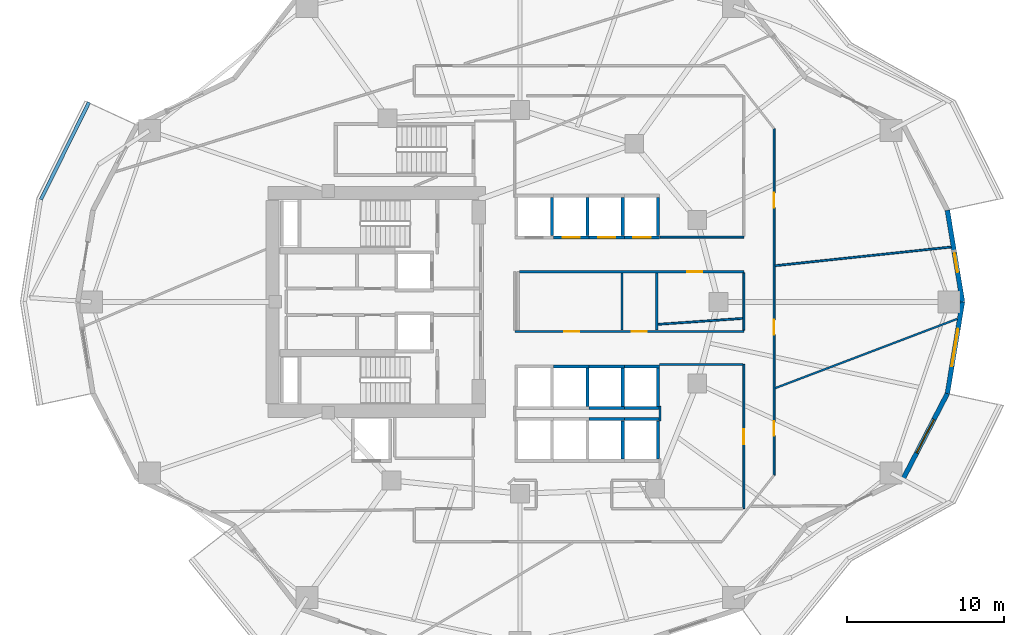
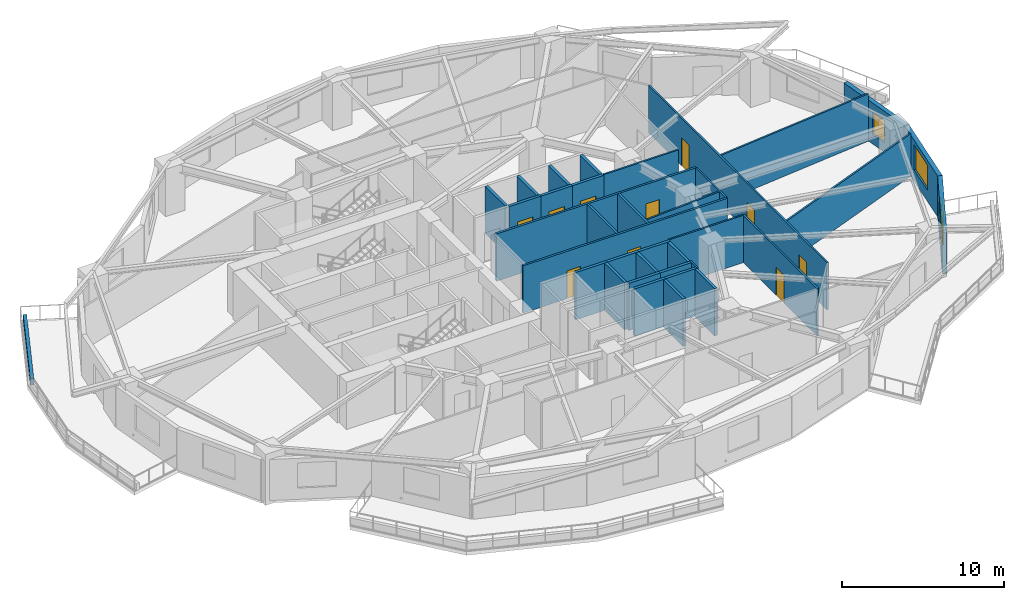
# One storey, part 5 of 14: 36 walls, 10 doors, 3 windows, 13 openings.
"""IFC4 building model written with IfcOpenShell, lengths in metres."""

from ifc_helpers import new_model, si_unit, direction, frame, frame_2d, origin, place, context, subcontext, project, spatial, rectangle, extrude, material, layer, layer_set, type_object, element, fill, save


model = new_model("IFC4")

# Units and contexts
model_context = context("Model", 3, precision=1e-05, world=origin(), true_north=direction((0.0, 1.0)))
body_context = subcontext(model_context, "Body", "Model", "MODEL_VIEW")
ifc_project = project(units=[si_unit("LENGTHUNIT", "METRE"), si_unit("AREAUNIT", "SQUARE_METRE"), si_unit("VOLUMEUNIT", "CUBIC_METRE"), si_unit("PLANEANGLEUNIT", "RADIAN"), si_unit("MASSUNIT", "GRAM", prefix="KILO")], contexts=[model_context])

# Site, building, storey
site_placement = place(None, origin())
site = spatial("IfcSite", under=ifc_project, at=site_placement, CompositionType="ELEMENT")
building_placement = place(site_placement, origin())
building = spatial("IfcBuilding", under=site, at=building_placement, Name="Kolvaren Gate Tower and Convention Centre", CompositionType="ELEMENT")
storey_placement = place(building_placement, frame((0.0, 0.0, 41.89990234375)))
storey = spatial("IfcBuildingStorey", under=building, at=storey_placement, Name="L09", CompositionType="ELEMENT", Elevation=41.89990234375)

# Wall
ifc_material_1 = material(Name="Fire-Rated Acoustic Gypsum Stud Partition", Category="gypsum")
ifc_layer_1 = layer(ifc_material_1, 0.1201171875)
ifc_layer_set_1 = layer_set([ifc_layer_1], Name="Fire-Rated Acoustic Gypsum Stud Partition")
wall_type_1 = type_object("IfcWallType", Name="ARCH-WL-PART-120", PredefinedType="PARTITIONING", material=ifc_layer_set_1)
wall_1_placement = place(storey_placement, frame((39.02001953125, 31.1201171875, 0.0), z_axis=(0.0, 0.0, 1.0), x_axis=(1.0, 0.0, 0.0)))
element("IfcWall", 1, at=wall_1_placement, inside=storey, type_object=wall_type_1, Name="Interior Partition WL-L09-INT-020", PredefinedType="PARTITIONING", context=body_context, shape_type="SweptSolid", body=[
    extrude(rectangle(XDim=5.330078125, YDim=0.1201171875, at=frame_2d((2.6650390625, 0.0))), origin(), (0.0, 0.0, 1.0), 3.570068359375),
])

# Wall, opening, door
wall_2_placement = place(storey_placement, frame((44.35009765625, 13.85009765625, 0.0), z_axis=(0.0, 0.0, 1.0), x_axis=(0.0, 1.0, 0.0)))
wall_2 = element("IfcWall", 2, at=wall_2_placement, inside=storey, type_object=wall_type_1, Name="Interior Partition WL-L09-INT-021", PredefinedType="PARTITIONING", context=body_context, shape_type="SweptSolid", body=[
    extrude(rectangle(XDim=9.169921875, YDim=0.1201171875, at=frame_2d((4.5849609375, 0.0))), origin(), (0.0, 0.0, 1.0), 3.570068359375),
])
opening_1_placement = place(wall_2_placement, frame((4.110107421875, 0.0, 0.0)))
opening_1 = element("IfcOpeningElement", 3, at=opening_1_placement, cuts=wall_2, Name="Opening DR-01", PredefinedType="OPENING", context=body_context, shape_type="SweptSolid", body=[
    extrude(rectangle(XDim=0.949951171875, YDim=2.10009765625, at=frame_2d((0.47509765625, 1.050048828125))), frame((0.0, 0.070068359375, 0.0), z_axis=(0.0, -1.0, 0.0), x_axis=(1.0, 0.0, 0.0)), (0.0, 0.0, 1.0), 0.14013671875),
])
ifc_material_2 = material(Name="Painted Architectural Steelwork ASTM A500 Grade C 345 MPa", Category="steel")
door_type_1 = type_object("IfcDoorType", Name="ARCH-DR-RISER-950", OperationType="SINGLE_SWING_RIGHT", PredefinedType="DOOR", material=ifc_material_2)
door_1_placement = place(opening_1_placement, origin())
door_1 = element("IfcDoor", 4, at=door_1_placement, inside=storey, type_object=door_type_1, Name="Catering Servery Kitchen Door", OperationType="SINGLE_SWING_LEFT", OverallHeight=2.10009765625, OverallWidth=0.949951171875, PredefinedType="DOOR", context=body_context, shape_type="SweptSolid", body=[
    extrude(rectangle(XDim=0.949951171875, YDim=2.10009765625, at=frame_2d((0.47509765625, 1.050048828125))), frame((0.0, 0.02490234375, 0.0), z_axis=(0.0, -1.0, 0.0), x_axis=(1.0, 0.0, 0.0)), (0.0, 0.0, 1.0), 0.050048828125),
])
fill(opening_1, door_1)

# Wall
wall_3_placement = place(storey_placement, frame((44.35009765625, 25.197021484375, 0.0), z_axis=(0.0, 0.0, 1.0), x_axis=(0.0, 1.0, 0.0)))
element("IfcWall", 5, at=wall_3_placement, inside=storey, type_object=wall_type_1, Name="Interior Partition WL-L09-INT-022", PredefinedType="PARTITIONING", context=body_context, shape_type="SweptSolid", body=[
    extrude(rectangle(XDim=3.64599609375, YDim=0.1201171875, at=frame_2d((1.822998046875, 0.0))), origin(), (0.0, 0.0, 1.0), 3.570068359375),
])

# Wall, openings, doors
wall_4_placement = place(storey_placement, frame((46.27001953125, 15.98193359375, 0.0), z_axis=(0.0, 0.0, 1.0), x_axis=(0.0, 1.0, 0.0)))
wall_4 = element("IfcWall", 6, at=wall_4_placement, inside=storey, type_object=wall_type_1, Name="Interior Partition WL-L09-INT-030", PredefinedType="PARTITIONING", context=body_context, shape_type="SweptSolid", body=[
    extrude(rectangle(XDim=22.0361328125, YDim=0.1201171875, at=frame_2d((11.01806640625, 0.0))), origin(), (0.0, 0.0, 1.0), 3.570068359375),
])
opening_2_placement = place(wall_4_placement, frame((2.490966796875, 0.0, 0.0)))
opening_2 = element("IfcOpeningElement", 7, at=opening_2_placement, cuts=wall_4, Name="Opening DR-01", PredefinedType="OPENING", context=body_context, shape_type="SweptSolid", body=[
    extrude(rectangle(XDim=0.949951171875, YDim=2.10009765625, at=frame_2d((0.47509765625, 1.050048828125))), frame((0.0, 0.070068359375, 0.0), z_axis=(0.0, -1.0, 0.0), x_axis=(1.0, 0.0, 0.0)), (0.0, 0.0, 1.0), 0.14013671875),
])
opening_3_placement = place(wall_4_placement, frame((8.92529296875, 0.0, 0.0)))
opening_3 = element("IfcOpeningElement", 8, at=opening_3_placement, cuts=wall_4, Name="Opening DR-01", PredefinedType="OPENING", context=body_context, shape_type="SweptSolid", body=[
    extrude(rectangle(XDim=0.949951171875, YDim=2.10009765625, at=frame_2d((0.47509765625, 1.050048828125))), frame((0.0, 0.070068359375, 0.0), z_axis=(0.0, -1.0, 0.0), x_axis=(1.0, 0.0, 0.0)), (0.0, 0.0, 1.0), 0.14013671875),
])
opening_4_placement = place(wall_4_placement, frame((16.992919921875, 0.0, 0.0)))
opening_4 = element("IfcOpeningElement", 9, at=opening_4_placement, cuts=wall_4, Name="Opening DR-01", PredefinedType="OPENING", context=body_context, shape_type="SweptSolid", body=[
    extrude(rectangle(XDim=0.949951171875, YDim=2.10009765625, at=frame_2d((0.47509765625, 1.050048828125))), frame((0.0, 0.070068359375, 0.0), z_axis=(0.0, -1.0, 0.0), x_axis=(1.0, 0.0, 0.0)), (0.0, 0.0, 1.0), 0.14013671875),
])
door_2_placement = place(opening_2_placement, origin())
door_2 = element("IfcDoor", 10, at=door_2_placement, inside=storey, type_object=door_type_1, Name="Executive Seminar Conference Room Door", OperationType="SINGLE_SWING_RIGHT", OverallHeight=2.10009765625, OverallWidth=0.949951171875, PredefinedType="DOOR", context=body_context, shape_type="SweptSolid", body=[
    extrude(rectangle(XDim=0.949951171875, YDim=2.10009765625, at=frame_2d((0.47509765625, 1.050048828125))), frame((0.0, 0.02490234375, 0.0), z_axis=(0.0, -1.0, 0.0), x_axis=(1.0, 0.0, 0.0)), (0.0, 0.0, 1.0), 0.050048828125),
])
fill(opening_2, door_2)
door_3_placement = place(opening_3_placement, origin())
door_3 = element("IfcDoor", 11, at=door_3_placement, inside=storey, type_object=door_type_1, Name="Strategy Huddle Meeting Room Door", OperationType="SINGLE_SWING_LEFT", OverallHeight=2.10009765625, OverallWidth=0.949951171875, PredefinedType="DOOR", context=body_context, shape_type="SweptSolid", body=[
    extrude(rectangle(XDim=0.949951171875, YDim=2.10009765625, at=frame_2d((0.47509765625, 1.050048828125))), frame((0.0, 0.02490234375, 0.0), z_axis=(0.0, -1.0, 0.0), x_axis=(1.0, 0.0, 0.0)), (0.0, 0.0, 1.0), 0.050048828125),
])
fill(opening_3, door_3)
door_4_placement = place(opening_4_placement, origin())
door_4 = element("IfcDoor", 12, at=door_4_placement, inside=storey, type_object=door_type_1, Name="Conference and Training Seminar Room Door", OperationType="SINGLE_SWING_LEFT", OverallHeight=2.10009765625, OverallWidth=0.949951171875, PredefinedType="DOOR", context=body_context, shape_type="SweptSolid", body=[
    extrude(rectangle(XDim=0.949951171875, YDim=2.10009765625, at=frame_2d((0.47509765625, 1.050048828125))), frame((0.0, 0.02490234375, 0.0), z_axis=(0.0, -1.0, 0.0), x_axis=(1.0, 0.0, 0.0)), (0.0, 0.0, 1.0), 0.050048828125),
])
fill(opening_4, door_4)

# Walls
wall_5_placement = place(storey_placement, frame((39.0, 23.02001953125, 0.0), z_axis=(0.0, 0.0, 1.0), x_axis=(1.0, 0.0, 0.0)))
element("IfcWall", 13, at=wall_5_placement, inside=storey, type_object=wall_type_1, Name="Interior Partition WL-L09-INT-041", PredefinedType="PARTITIONING", context=body_context, shape_type="SweptSolid", body=[
    extrude(rectangle(XDim=5.2880859375, YDim=0.1201171875, at=frame_2d((2.64404296875, 0.0))), origin(), (0.0, 0.0, 1.0), 3.570068359375),
])
wall_6_placement = place(storey_placement, frame((39.02001953125, 19.43994140625, 0.0), z_axis=(0.0, 0.0, 1.0), x_axis=(0.0, 1.0, 0.0)))
element("IfcWall", 14, at=wall_6_placement, inside=storey, type_object=wall_type_1, Name="Interior Partition WL-L09-INT-042 (2)", PredefinedType="PARTITIONING", context=body_context, shape_type="SweptSolid", body=[
    extrude(rectangle(XDim=0.920166015625, YDim=0.1201171875, at=frame_2d((0.4599609375, 0.0))), origin(), (0.0, 0.0, 1.0), 3.570068359375),
])
wall_7_placement = place(storey_placement, frame((46.33203125, 21.510498046875, 0.0), z_axis=(0.0, 0.0, 1.0), x_axis=(0.934671698943, 0.355512046484, 0.0)))
element("IfcWall", 15, at=wall_7_placement, inside=storey, type_object=wall_type_1, Name="Interior Partition WL-L09-INT-053", PredefinedType="PARTITIONING", context=body_context, shape_type="SweptSolid", body=[
    extrude(rectangle(XDim=12.3955078125, YDim=0.1201171875, at=frame_2d((6.19775390625, 0.0))), origin(), (0.0, 0.0, 1.0), 3.205078125),
])
wall_8_placement = place(storey_placement, frame((46.33203125, 29.299560546875, 0.0), z_axis=(0.0, 0.0, 1.0), x_axis=(0.994414134786, 0.105548702209, 0.0)))
element("IfcWall", 16, at=wall_8_placement, inside=storey, type_object=wall_type_1, Name="Interior Partition WL-L09-INT-054", PredefinedType="PARTITIONING", context=body_context, shape_type="SweptSolid", body=[
    extrude(rectangle(XDim=11.2529296875, YDim=0.1201171875, at=frame_2d((5.62646484375, 0.0))), origin(), (0.0, 0.0, 1.0), 3.570068359375),
])
wall_9_placement = place(storey_placement, frame((38.876953125, 25.5703125, 0.0), z_axis=(0.0, 0.0, 1.0), x_axis=(0.997563605061, 0.069762840094, 0.0)))
element("IfcWall", 17, at=wall_9_placement, inside=storey, type_object=wall_type_1, Name="Interior Partition WL-L09-INT-055", PredefinedType="PARTITIONING", context=body_context, shape_type="SweptSolid", body=[
    extrude(rectangle(XDim=5.42431640625, YDim=0.1201171875, at=frame_2d((2.712158203125, 0.0))), origin(), (0.0, 0.0, 1.0), 3.570068359375),
])
ifc_material_3 = material(Name="Piedmont Cream Honed Limestone Cladding", Category="masonry")
ifc_layer_2 = layer(ifc_material_3, 0.219970703125)
ifc_layer_set_2 = layer_set([ifc_layer_2], Name="Piedmont Cream Honed Limestone Cladding")
wall_type_2 = type_object("IfcWallType", Name="ARCH-WL-PLANTER-220", PredefinedType="PARAPET", material=ifc_layer_set_2)
wall_10_placement = place(storey_placement, frame((-0.3544921875, 33.50244140625, 0.0), z_axis=(0.0, 0.0, 1.0), x_axis=(0.443578479433, 0.8962355341, 0.0)))
element("IfcWall", 18, at=wall_10_placement, inside=storey, type_object=wall_type_2, Name="Vertical-Forest Balcony Stone Planter Kerb PK-L09-2.1", PredefinedType="PARAPET", context=body_context, shape_type="SweptSolid", body=[
    extrude(rectangle(XDim=6.9111328125, YDim=0.219970703125, at=frame_2d((3.45556640625, 0.0))), origin(), (0.0, 0.0, 1.0), 0.52001953125),
])
ifc_material_4 = material(Name="Autoclaved Aerated Masonry Blockwork Class 4 (4.0 MPa)", Category="masonry")
ifc_layer_3 = layer(ifc_material_4, 0.199951171875)
ifc_layer_set_3 = layer_set([ifc_layer_3], Name="Autoclaved Aerated Masonry Blockwork Class 4 (4.0 MPa)")
wall_type_3 = type_object("IfcWallType", Name="ARCH-WL-SHAFT-200", PredefinedType="SOLIDWALL", material=ifc_layer_set_3)
wall_11_placement = place(storey_placement, frame((32.14990234375, 31.2099609375, 0.0), z_axis=(0.0, 0.0, 1.0), x_axis=(0.0, 1.0, 0.0)))
element("IfcWall", 19, at=wall_11_placement, inside=storey, type_object=wall_type_3, Name="Elevator PL-01 L09 Fire Shaft Wall E", PredefinedType="SOLIDWALL", context=body_context, shape_type="SweptSolid", body=[
    extrude(rectangle(XDim=2.429931640625, YDim=0.199951171875, at=frame_2d((1.21484375, 0.0))), origin(), (0.0, 0.0, 1.0), 3.570068359375),
])

# Wall, opening, door
wall_12_placement = place(storey_placement, frame((32.25, 31.10009765625, 0.0), z_axis=(0.0, 0.0, 1.0), x_axis=(1.0, 0.0, 0.0)))
wall_12 = element("IfcWall", 20, at=wall_12_placement, inside=storey, type_object=wall_type_3, Name="Elevator PL-02 L09 Fire Shaft Wall S", PredefinedType="SOLIDWALL", context=body_context, shape_type="SweptSolid", body=[
    extrude(rectangle(XDim=2.25, YDim=0.199951171875, at=frame_2d((1.125, 0.0))), origin(), (0.0, 0.0, 1.0), 3.570068359375),
])
opening_5_placement = place(wall_12_placement, frame((0.574951171875, 0.0, 0.0)))
opening_5 = element("IfcOpeningElement", 21, at=opening_5_placement, cuts=wall_12, Name="Opening LD", PredefinedType="OPENING", context=body_context, shape_type="SweptSolid", body=[
    extrude(rectangle(XDim=1.10009765625, YDim=2.199951171875, at=frame_2d((0.550048828125, 1.10009765625))), frame((0.0, 0.10986328125, 0.0), z_axis=(0.0, -1.0, 0.0), x_axis=(1.0, 0.0, 0.0)), (0.0, 0.0, 1.0), 0.219970703125),
])
ifc_material_5 = material(Name="Brushed Stainless Steel Grade 316L", Category="steel")
door_type_2 = type_object("IfcDoorType", Name="ARCH-DR-LIFT-1100", OperationType="SLIDING_TO_LEFT", PredefinedType="DOOR", material=ifc_material_5)
door_5_placement = place(opening_5_placement, origin())
door_5 = element("IfcDoor", 22, at=door_5_placement, inside=storey, type_object=door_type_2, Name="Elevator PL-02 L09 Sliding Landing Door", OperationType="SLIDING_TO_LEFT", OverallHeight=2.199951171875, OverallWidth=1.10009765625, PredefinedType="DOOR", context=body_context, shape_type="SweptSolid", body=[
    extrude(rectangle(XDim=1.10009765625, YDim=2.199951171875, at=frame_2d((0.550048828125, 1.10009765625))), frame((0.0, 0.02490234375, 0.0), z_axis=(0.0, -1.0, 0.0), x_axis=(1.0, 0.0, 0.0)), (0.0, 0.0, 1.0), 0.050048828125),
])
fill(opening_5, door_5)

# Wall
wall_13_placement = place(storey_placement, frame((34.39990234375, 31.2099609375, 0.0), z_axis=(0.0, 0.0, 1.0), x_axis=(0.0, 1.0, 0.0)))
element("IfcWall", 23, at=wall_13_placement, inside=storey, type_object=wall_type_3, Name="Elevator PL-02 L09 Fire Shaft Wall E", PredefinedType="SOLIDWALL", context=body_context, shape_type="SweptSolid", body=[
    extrude(rectangle(XDim=2.429931640625, YDim=0.199951171875, at=frame_2d((1.21484375, 0.0))), origin(), (0.0, 0.0, 1.0), 3.570068359375),
])

# Wall, opening, door
wall_14_placement = place(storey_placement, frame((34.5, 31.10009765625, 0.0), z_axis=(0.0, 0.0, 1.0), x_axis=(1.0, 0.0, 0.0)))
wall_14 = element("IfcWall", 24, at=wall_14_placement, inside=storey, type_object=wall_type_3, Name="Elevator PL-03 L09 Fire Shaft Wall S", PredefinedType="SOLIDWALL", context=body_context, shape_type="SweptSolid", body=[
    extrude(rectangle(XDim=2.25, YDim=0.199951171875, at=frame_2d((1.125, 0.0))), origin(), (0.0, 0.0, 1.0), 3.570068359375),
])
opening_6_placement = place(wall_14_placement, frame((0.574951171875, 0.0, 0.0)))
opening_6 = element("IfcOpeningElement", 25, at=opening_6_placement, cuts=wall_14, Name="Opening LD", PredefinedType="OPENING", context=body_context, shape_type="SweptSolid", body=[
    extrude(rectangle(XDim=1.10009765625, YDim=2.199951171875, at=frame_2d((0.550048828125, 1.10009765625))), frame((0.0, 0.10986328125, 0.0), z_axis=(0.0, -1.0, 0.0), x_axis=(1.0, 0.0, 0.0)), (0.0, 0.0, 1.0), 0.219970703125),
])
door_6_placement = place(opening_6_placement, origin())
door_6 = element("IfcDoor", 26, at=door_6_placement, inside=storey, type_object=door_type_2, Name="Elevator PL-03 L09 Sliding Landing Door", OperationType="SLIDING_TO_LEFT", OverallHeight=2.199951171875, OverallWidth=1.10009765625, PredefinedType="DOOR", context=body_context, shape_type="SweptSolid", body=[
    extrude(rectangle(XDim=1.10009765625, YDim=2.199951171875, at=frame_2d((0.550048828125, 1.10009765625))), frame((0.0, 0.02490234375, 0.0), z_axis=(0.0, -1.0, 0.0), x_axis=(1.0, 0.0, 0.0)), (0.0, 0.0, 1.0), 0.050048828125),
])
fill(opening_6, door_6)

# Wall
wall_15_placement = place(storey_placement, frame((36.64990234375, 31.2099609375, 0.0), z_axis=(0.0, 0.0, 1.0), x_axis=(0.0, 1.0, 0.0)))
element("IfcWall", 27, at=wall_15_placement, inside=storey, type_object=wall_type_3, Name="Elevator PL-03 L09 Fire Shaft Wall E", PredefinedType="SOLIDWALL", context=body_context, shape_type="SweptSolid", body=[
    extrude(rectangle(XDim=2.429931640625, YDim=0.199951171875, at=frame_2d((1.21484375, 0.0))), origin(), (0.0, 0.0, 1.0), 3.570068359375),
])

# Wall, opening, door
wall_16_placement = place(storey_placement, frame((36.75, 31.10009765625, 0.0), z_axis=(0.0, 0.0, 1.0), x_axis=(1.0, 0.0, 0.0)))
wall_16 = element("IfcWall", 28, at=wall_16_placement, inside=storey, type_object=wall_type_3, Name="Elevator PL-04 L09 Fire Shaft Wall S", PredefinedType="SOLIDWALL", context=body_context, shape_type="SweptSolid", body=[
    extrude(rectangle(XDim=2.25, YDim=0.199951171875, at=frame_2d((1.125, 0.0))), origin(), (0.0, 0.0, 1.0), 3.570068359375),
])
opening_7_placement = place(wall_16_placement, frame((0.574951171875, 0.0, 0.0)))
opening_7 = element("IfcOpeningElement", 29, at=opening_7_placement, cuts=wall_16, Name="Opening LD", PredefinedType="OPENING", context=body_context, shape_type="SweptSolid", body=[
    extrude(rectangle(XDim=1.10009765625, YDim=2.199951171875, at=frame_2d((0.550048828125, 1.10009765625))), frame((0.0, 0.10986328125, 0.0), z_axis=(0.0, -1.0, 0.0), x_axis=(1.0, 0.0, 0.0)), (0.0, 0.0, 1.0), 0.219970703125),
])
door_7_placement = place(opening_7_placement, origin())
door_7 = element("IfcDoor", 30, at=door_7_placement, inside=storey, type_object=door_type_2, Name="Elevator PL-04 L09 Sliding Landing Door", OperationType="SLIDING_TO_LEFT", OverallHeight=2.199951171875, OverallWidth=1.10009765625, PredefinedType="DOOR", context=body_context, shape_type="SweptSolid", body=[
    extrude(rectangle(XDim=1.10009765625, YDim=2.199951171875, at=frame_2d((0.550048828125, 1.10009765625))), frame((0.0, 0.02490234375, 0.0), z_axis=(0.0, -1.0, 0.0), x_axis=(1.0, 0.0, 0.0)), (0.0, 0.0, 1.0), 0.050048828125),
])
fill(opening_7, door_7)

# Walls
wall_17_placement = place(storey_placement, frame((38.89990234375, 31.2099609375, 0.0), z_axis=(0.0, 0.0, 1.0), x_axis=(0.0, 1.0, 0.0)))
element("IfcWall", 31, at=wall_17_placement, inside=storey, type_object=wall_type_3, Name="Elevator PL-04 L09 Fire Shaft Wall E", PredefinedType="SOLIDWALL", context=body_context, shape_type="SweptSolid", body=[
    extrude(rectangle(XDim=2.429931640625, YDim=0.199951171875, at=frame_2d((1.21484375, 0.0))), origin(), (0.0, 0.0, 1.0), 3.570068359375),
])
wall_18_placement = place(storey_placement, frame((34.5, 19.550048828125, 0.0), z_axis=(0.0, 0.0, 1.0), x_axis=(1.0, 0.0, 0.0)))
element("IfcWall", 32, at=wall_18_placement, inside=storey, type_object=wall_type_3, Name="Elevator PL-07 L09 Fire Shaft Wall N", PredefinedType="SOLIDWALL", context=body_context, shape_type="SweptSolid", body=[
    extrude(rectangle(XDim=2.25, YDim=0.199951171875, at=frame_2d((1.125, 0.0))), origin(), (0.0, 0.0, 1.0), 3.570068359375),
])
wall_19_placement = place(storey_placement, frame((36.64990234375, 17.010009765625, 0.0), z_axis=(0.0, 0.0, 1.0), x_axis=(0.0, 1.0, 0.0)))
element("IfcWall", 33, at=wall_19_placement, inside=storey, type_object=wall_type_3, Name="Elevator PL-07 L09 Fire Shaft Wall E", PredefinedType="SOLIDWALL", context=body_context, shape_type="SweptSolid", body=[
    extrude(rectangle(XDim=2.429931640625, YDim=0.199951171875, at=frame_2d((1.21484375, 0.0))), origin(), (0.0, 0.0, 1.0), 3.570068359375),
])
wall_20_placement = place(storey_placement, frame((36.75, 19.550048828125, 0.0), z_axis=(0.0, 0.0, 1.0), x_axis=(1.0, 0.0, 0.0)))
element("IfcWall", 34, at=wall_20_placement, inside=storey, type_object=wall_type_3, Name="Elevator PL-08 L09 Fire Shaft Wall N", PredefinedType="SOLIDWALL", context=body_context, shape_type="SweptSolid", body=[
    extrude(rectangle(XDim=2.25, YDim=0.199951171875, at=frame_2d((1.125, 0.0))), origin(), (0.0, 0.0, 1.0), 3.570068359375),
])
wall_21_placement = place(storey_placement, frame((38.89990234375, 17.010009765625, 0.0), z_axis=(0.0, 0.0, 1.0), x_axis=(0.0, 1.0, 0.0)))
element("IfcWall", 35, at=wall_21_placement, inside=storey, type_object=wall_type_3, Name="Elevator PL-08 L09 Fire Shaft Wall E", PredefinedType="SOLIDWALL", context=body_context, shape_type="SweptSolid", body=[
    extrude(rectangle(XDim=2.429931640625, YDim=0.199951171875, at=frame_2d((1.21484375, 0.0))), origin(), (0.0, 0.0, 1.0), 3.570068359375),
])
wall_22_placement = place(storey_placement, frame((32.25, 22.89990234375, 0.0), z_axis=(0.0, 0.0, 1.0), x_axis=(1.0, 0.0, 0.0)))
element("IfcWall", 36, at=wall_22_placement, inside=storey, type_object=wall_type_3, Name="Elevator PL-10 L09 Fire Shaft Wall N", PredefinedType="SOLIDWALL", context=body_context, shape_type="SweptSolid", body=[
    extrude(rectangle(XDim=2.25, YDim=0.199951171875, at=frame_2d((1.125, 0.0))), origin(), (0.0, 0.0, 1.0), 3.570068359375),
])
wall_23_placement = place(storey_placement, frame((34.39990234375, 20.360107421875, 0.0), z_axis=(0.0, 0.0, 1.0), x_axis=(0.0, 1.0, 0.0)))
element("IfcWall", 37, at=wall_23_placement, inside=storey, type_object=wall_type_3, Name="Elevator PL-10 L09 Fire Shaft Wall E", PredefinedType="SOLIDWALL", context=body_context, shape_type="SweptSolid", body=[
    extrude(rectangle(XDim=2.429931640625, YDim=0.199951171875, at=frame_2d((1.21484375, 0.0))), origin(), (0.0, 0.0, 1.0), 3.570068359375),
])
for number, where, z_axis, x_axis, name in (
    (38, (34.5, 22.89990234375, 0.0), (0.0, 0.0, 1.0), (1.0, 0.0, 0.0), "Elevator PL-11 L09 Fire Shaft Wall N"),
    (39, (34.5, 20.25, 0.0), (0.0, 0.0, 1.0), (1.0, 0.0, 0.0), "Elevator PL-11 L09 Fire Shaft Wall S"),
):
    element("IfcWall", number, at=place(storey_placement, frame(where, z_axis=z_axis, x_axis=x_axis)), inside=storey, type_object=wall_type_3, Name=name, PredefinedType="SOLIDWALL", context=body_context, shape_type="SweptSolid", body=[
        extrude(rectangle(XDim=2.25, YDim=0.199951171875, at=frame_2d((1.125, 0.0))), origin(), (0.0, 0.0, 1.0), 3.570068359375),
    ])
wall_24_placement = place(storey_placement, frame((36.64990234375, 20.360107421875, 0.0), z_axis=(0.0, 0.0, 1.0), x_axis=(0.0, 1.0, 0.0)))
element("IfcWall", 40, at=wall_24_placement, inside=storey, type_object=wall_type_3, Name="Elevator PL-11 L09 Fire Shaft Wall E", PredefinedType="SOLIDWALL", context=body_context, shape_type="SweptSolid", body=[
    extrude(rectangle(XDim=2.429931640625, YDim=0.199951171875, at=frame_2d((1.21484375, 0.0))), origin(), (0.0, 0.0, 1.0), 3.570068359375),
])
for number, where, z_axis, x_axis, name in (
    (41, (36.75, 22.89990234375, 0.0), (0.0, 0.0, 1.0), (1.0, 0.0, 0.0), "Elevator PL-12 L09 Fire Shaft Wall N"),
    (42, (36.75, 20.25, 0.0), (0.0, 0.0, 1.0), (1.0, 0.0, 0.0), "Elevator PL-12 L09 Fire Shaft Wall S"),
):
    element("IfcWall", number, at=place(storey_placement, frame(where, z_axis=z_axis, x_axis=x_axis)), inside=storey, type_object=wall_type_3, Name=name, PredefinedType="SOLIDWALL", context=body_context, shape_type="SweptSolid", body=[
        extrude(rectangle(XDim=2.25, YDim=0.199951171875, at=frame_2d((1.125, 0.0))), origin(), (0.0, 0.0, 1.0), 3.570068359375),
    ])
wall_25_placement = place(storey_placement, frame((38.89990234375, 20.360107421875, 0.0), z_axis=(0.0, 0.0, 1.0), x_axis=(0.0, 1.0, 0.0)))
element("IfcWall", 43, at=wall_25_placement, inside=storey, type_object=wall_type_3, Name="Elevator PL-12 L09 Fire Shaft Wall E", PredefinedType="SOLIDWALL", context=body_context, shape_type="SweptSolid", body=[
    extrude(rectangle(XDim=2.429931640625, YDim=0.199951171875, at=frame_2d((1.21484375, 0.0))), origin(), (0.0, 0.0, 1.0), 3.570068359375),
])

# Wall, opening, window
ifc_layer_4 = layer(ifc_material_3, 0.300048828125)
ifc_layer_set_4 = layer_set([ifc_layer_4], Name="Piedmont Cream Honed Limestone Cladding")
wall_type_4 = type_object("IfcWallType", Name="ARCH-WL-STONE-300", PredefinedType="SOLIDWALL", material=ifc_layer_set_4)
wall_26_placement = place(storey_placement, frame((57.291748046875, 32.823486328125, 0.0), z_axis=(0.0, 0.0, 1.0), x_axis=(0.162366057843, -0.98673059305, 0.0)))
wall_26 = element("IfcWall", 44, at=wall_26_placement, inside=storey, type_object=wall_type_4, Name="Tower L09 Honed Stone Spandrel Wall EW-00", PredefinedType="SOLIDWALL", context=body_context, shape_type="SweptSolid", body=[
    extrude(rectangle(XDim=5.90185546875, YDim=0.300048828125, at=frame_2d((2.950927734375, 0.0))), origin(), (0.0, 0.0, 1.0), 3.093017578125),
])
opening_8_placement = place(wall_26_placement, frame((2.780029296875, 0.0, 0.719970703125)))
opening_8 = element("IfcOpeningElement", 45, at=opening_8_placement, cuts=wall_26, Name="Opening W-04", PredefinedType="OPENING", context=body_context, shape_type="SweptSolid", body=[
    extrude(rectangle(XDim=1.199951171875, YDim=1.64990234375, at=frame_2d((0.60009765625, 0.824951171875))), frame((0.0, 0.159912109375, 0.0), z_axis=(0.0, -1.0, 0.0), x_axis=(1.0, 0.0, 0.0)), (0.0, 0.0, 1.0), 0.320068359375),
])
ifc_material_6 = material(Name="Low-E Triple Insulated Glazing Unit 44 mm", Category="glass")
window_type_1 = type_object("IfcWindowType", Name="ARCH-WN-NARROW-1200", PartitioningType="SINGLE_PANEL", PredefinedType="WINDOW", material=ifc_material_6)
window_1_placement = place(opening_8_placement, origin())
window_1 = element("IfcWindow", 46, at=window_1_placement, inside=storey, type_object=window_type_1, Name="Tower L09 Punched Stone Facade Window W-00", OverallHeight=1.64990234375, OverallWidth=1.199951171875, PartitioningType="SINGLE_PANEL", PredefinedType="WINDOW", context=body_context, shape_type="SweptSolid", body=[
    extrude(rectangle(XDim=1.199951171875, YDim=1.64990234375, at=frame_2d((0.60009765625, 0.824951171875))), frame((0.0, 0.030029296875, 0.0), z_axis=(0.0, -1.0, 0.0), x_axis=(1.0, 0.0, 0.0)), (0.0, 0.0, 1.0), 0.06005859375),
])
fill(opening_8, window_1)

wall_27_placement = place(storey_placement, frame((54.48193359375, 15.75, 0.0), z_axis=(0.0, 0.0, 1.0), x_axis=(0.459809804413, 0.88801742312, 0.0)))
wall_27 = element("IfcWall", 47, at=wall_27_placement, inside=storey, type_object=wall_type_4, Name="Tower L09 Honed Stone Spandrel Wall EW-22", PredefinedType="SOLIDWALL", context=body_context, shape_type="SweptSolid", body=[
    extrude(rectangle(XDim=6.11083984375, YDim=0.300048828125, at=frame_2d((3.055419921875, 0.0))), origin(), (0.0, 0.0, 1.0), 3.093017578125),
])
opening_9_placement = place(wall_27_placement, frame((1.85498046875, 0.0, 0.85009765625)))
opening_9 = element("IfcOpeningElement", 48, at=opening_9_placement, cuts=wall_27, Name="Opening W-01", PredefinedType="OPENING", context=body_context, shape_type="SweptSolid", body=[
    extrude(rectangle(XDim=2.39990234375, YDim=1.89990234375, at=frame_2d((1.199951171875, 0.949951171875))), frame((0.0, 0.159912109375, 0.0), z_axis=(0.0, -1.0, 0.0), x_axis=(1.0, 0.0, 0.0)), (0.0, 0.0, 1.0), 0.320068359375),
])
window_type_2 = type_object("IfcWindowType", Name="ARCH-WN-OFF-2400", PartitioningType="SINGLE_PANEL", PredefinedType="WINDOW", material=ifc_material_6)
window_2_placement = place(opening_9_placement, origin())
window_2 = element("IfcWindow", 49, at=window_2_placement, inside=storey, type_object=window_type_2, Name="Tower L09 Punched Stone Facade Window W-22", OverallHeight=1.89990234375, OverallWidth=2.39990234375, PartitioningType="SINGLE_PANEL", PredefinedType="WINDOW", context=body_context, shape_type="SweptSolid", body=[
    extrude(rectangle(XDim=2.39990234375, YDim=1.89990234375, at=frame_2d((1.199951171875, 0.949951171875))), frame((0.0, 0.030029296875, 0.0), z_axis=(0.0, -1.0, 0.0), x_axis=(1.0, 0.0, 0.0)), (0.0, 0.0, 1.0), 0.06005859375),
])
fill(opening_9, window_2)

wall_28_placement = place(storey_placement, frame((57.291748046875, 21.176513671875, 0.0), z_axis=(0.0, 0.0, 1.0), x_axis=(0.162366057843, 0.98673059305, 0.0)))
wall_28 = element("IfcWall", 50, at=wall_28_placement, inside=storey, type_object=wall_type_4, Name="Tower L09 Honed Stone Spandrel Wall EW-23", PredefinedType="SOLIDWALL", context=body_context, shape_type="SweptSolid", body=[
    extrude(rectangle(XDim=5.90185546875, YDim=0.300048828125, at=frame_2d((2.950927734375, 0.0))), origin(), (0.0, 0.0, 1.0), 3.093017578125),
])
opening_10_placement = place(wall_28_placement, frame((1.7509765625, 0.0, 0.85009765625)))
opening_10 = element("IfcOpeningElement", 51, at=opening_10_placement, cuts=wall_28, Name="Opening W-01", PredefinedType="OPENING", context=body_context, shape_type="SweptSolid", body=[
    extrude(rectangle(XDim=2.39990234375, YDim=1.89990234375, at=frame_2d((1.199951171875, 0.949951171875))), frame((0.0, 0.159912109375, 0.0), z_axis=(0.0, -1.0, 0.0), x_axis=(1.0, 0.0, 0.0)), (0.0, 0.0, 1.0), 0.320068359375),
])
window_3_placement = place(opening_10_placement, origin())
window_3 = element("IfcWindow", 52, at=window_3_placement, inside=storey, type_object=window_type_2, Name="Tower L09 Punched Stone Facade Window W-23", OverallHeight=1.89990234375, OverallWidth=2.39990234375, PartitioningType="SINGLE_PANEL", PredefinedType="WINDOW", context=body_context, shape_type="SweptSolid", body=[
    extrude(rectangle(XDim=2.39990234375, YDim=1.89990234375, at=frame_2d((1.199951171875, 0.949951171875))), frame((0.0, 0.030029296875, 0.0), z_axis=(0.0, -1.0, 0.0), x_axis=(1.0, 0.0, 0.0)), (0.0, 0.0, 1.0), 0.06005859375),
])
fill(opening_10, window_3)

# Wall, openings, doors
ifc_material_7 = material(Name="Moisture-Resistant Cement-Board Acoustic Partition", Category="gypsum")
ifc_layer_5 = layer(ifc_material_7, 0.14990234375)
ifc_layer_set_5 = layer_set([ifc_layer_5], Name="Moisture-Resistant Cement-Board Acoustic Partition")
wall_type_5 = type_object("IfcWallType", Name="ARCH-WL-WET-150", PredefinedType="PARTITIONING", material=ifc_layer_set_5)
wall_29_placement = place(storey_placement, frame((29.780029296875, 25.1201171875, 0.0), z_axis=(0.0, 0.0, 1.0), x_axis=(1.0, 0.0, 0.0)))
wall_29 = element("IfcWall", 53, at=wall_29_placement, inside=storey, type_object=wall_type_5, Name="Interior Partition WL-L09-INT-012", PredefinedType="PARTITIONING", context=body_context, shape_type="SweptSolid", body=[
    extrude(rectangle(XDim=14.570068359375, YDim=0.14990234375, at=frame_2d((7.28515625, 0.0))), origin(), (0.0, 0.0, 1.0), 3.570068359375),
])
opening_11_placement = place(wall_29_placement, frame((3.139892578125, 0.0, 0.0)))
opening_11 = element("IfcOpeningElement", 54, at=opening_11_placement, cuts=wall_29, Name="Opening DR-01", PredefinedType="OPENING", context=body_context, shape_type="SweptSolid", body=[
    extrude(rectangle(XDim=0.949951171875, YDim=2.10009765625, at=frame_2d((0.47509765625, 1.050048828125))), frame((0.0, 0.0849609375, 0.0), z_axis=(0.0, -1.0, 0.0), x_axis=(1.0, 0.0, 0.0)), (0.0, 0.0, 1.0), 0.169921875),
])
opening_12_placement = place(wall_29_placement, frame((7.445068359375, 0.0, 0.0)))
opening_12 = element("IfcOpeningElement", 55, at=opening_12_placement, cuts=wall_29, Name="Opening DR-01", PredefinedType="OPENING", context=body_context, shape_type="SweptSolid", body=[
    extrude(rectangle(XDim=0.949951171875, YDim=2.10009765625, at=frame_2d((0.47509765625, 1.050048828125))), frame((0.0, 0.0849609375, 0.0), z_axis=(0.0, -1.0, 0.0), x_axis=(1.0, 0.0, 0.0)), (0.0, 0.0, 1.0), 0.169921875),
])
door_8_placement = place(opening_11_placement, origin())
door_8 = element("IfcDoor", 56, at=door_8_placement, inside=storey, type_object=door_type_1, Name="Accessible Universal Washroom Door", OperationType="SINGLE_SWING_RIGHT", OverallHeight=2.10009765625, OverallWidth=0.949951171875, PredefinedType="DOOR", context=body_context, shape_type="SweptSolid", body=[
    extrude(rectangle(XDim=0.949951171875, YDim=2.10009765625, at=frame_2d((0.47509765625, 1.050048828125))), frame((0.0, 0.02490234375, 0.0), z_axis=(0.0, -1.0, 0.0), x_axis=(1.0, 0.0, 0.0)), (0.0, 0.0, 1.0), 0.050048828125),
])
fill(opening_11, door_8)
door_9_placement = place(opening_12_placement, origin())
door_9 = element("IfcDoor", 57, at=door_9_placement, inside=storey, type_object=door_type_1, Name="Floor Janitor and Supply Store Door", OperationType="SINGLE_SWING_LEFT", OverallHeight=2.10009765625, OverallWidth=0.949951171875, PredefinedType="DOOR", context=body_context, shape_type="SweptSolid", body=[
    extrude(rectangle(XDim=0.949951171875, YDim=2.10009765625, at=frame_2d((0.47509765625, 1.050048828125))), frame((0.0, 0.02490234375, 0.0), z_axis=(0.0, -1.0, 0.0), x_axis=(1.0, 0.0, 0.0)), (0.0, 0.0, 1.0), 0.050048828125),
])
fill(opening_12, door_9)

# Wall, opening, door
wall_30_placement = place(storey_placement, frame((30.076904296875, 28.919921875, 0.0), z_axis=(0.0, 0.0, 1.0), x_axis=(1.0, 0.0, 0.0)))
wall_30 = element("IfcWall", 58, at=wall_30_placement, inside=storey, type_object=wall_type_5, Name="Interior Partition WL-L09-INT-014", PredefinedType="PARTITIONING", context=body_context, shape_type="SweptSolid", body=[
    extrude(rectangle(XDim=14.273193359375, YDim=0.14990234375, at=frame_2d((7.13671875, 0.0))), origin(), (0.0, 0.0, 1.0), 3.570068359375),
])
opening_13_placement = place(wall_30_placement, frame((10.677978515625, 0.0, 0.0)))
opening_13 = element("IfcOpeningElement", 59, at=opening_13_placement, cuts=wall_30, Name="Opening DR-01", PredefinedType="OPENING", context=body_context, shape_type="SweptSolid", body=[
    extrude(rectangle(XDim=0.949951171875, YDim=2.10009765625, at=frame_2d((0.47509765625, 1.050048828125))), frame((0.0, 0.0849609375, 0.0), z_axis=(0.0, -1.0, 0.0), x_axis=(1.0, 0.0, 0.0)), (0.0, 0.0, 1.0), 0.169921875),
])
door_10_placement = place(opening_13_placement, origin())
door_10 = element("IfcDoor", 60, at=door_10_placement, inside=storey, type_object=door_type_1, Name="Tea Pantry Door", OperationType="SINGLE_SWING_RIGHT", OverallHeight=2.10009765625, OverallWidth=0.949951171875, PredefinedType="DOOR", context=body_context, shape_type="SweptSolid", body=[
    extrude(rectangle(XDim=0.949951171875, YDim=2.10009765625, at=frame_2d((0.47509765625, 1.050048828125))), frame((0.0, 0.02490234375, 0.0), z_axis=(0.0, -1.0, 0.0), x_axis=(1.0, 0.0, 0.0)), (0.0, 0.0, 1.0), 0.050048828125),
])
fill(opening_13, door_10)

# Walls
for number, where, z_axis, x_axis, name in (
    (61, (36.60009765625, 25.197021484375, 0.0), (0.0, 0.0, 1.0), (0.0, 1.0, 0.0), "Interior Partition WL-L09-INT-015"),
    (62, (38.800048828125, 25.197021484375, 0.0), (0.0, 0.0, 1.0), (0.0, 1.0, 0.0), "Interior Partition WL-L09-INT-016"),
):
    element("IfcWall", number, at=place(storey_placement, frame(where, z_axis=z_axis, x_axis=x_axis)), inside=storey, type_object=wall_type_5, Name=name, PredefinedType="PARTITIONING", context=body_context, shape_type="SweptSolid", body=[
        extrude(rectangle(XDim=3.64599609375, YDim=0.14990234375, at=frame_2d((1.822998046875, 0.0))), origin(), (0.0, 0.0, 1.0), 3.570068359375),
    ])

save(model, "model.ifc")
